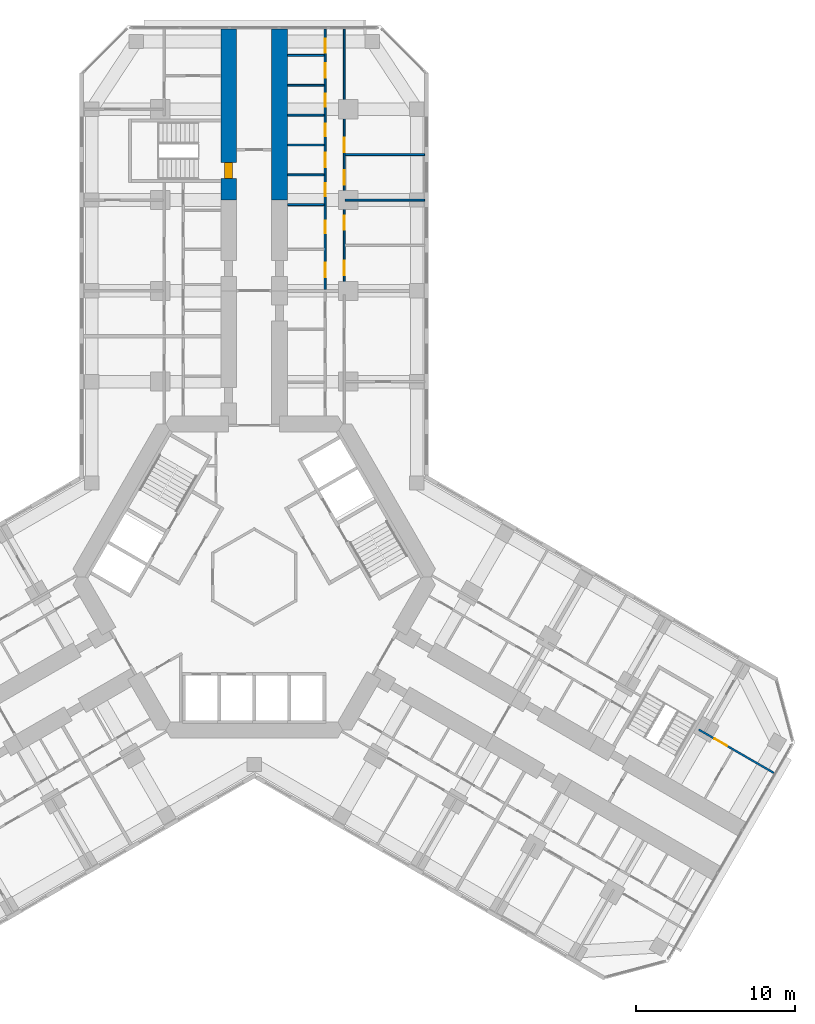
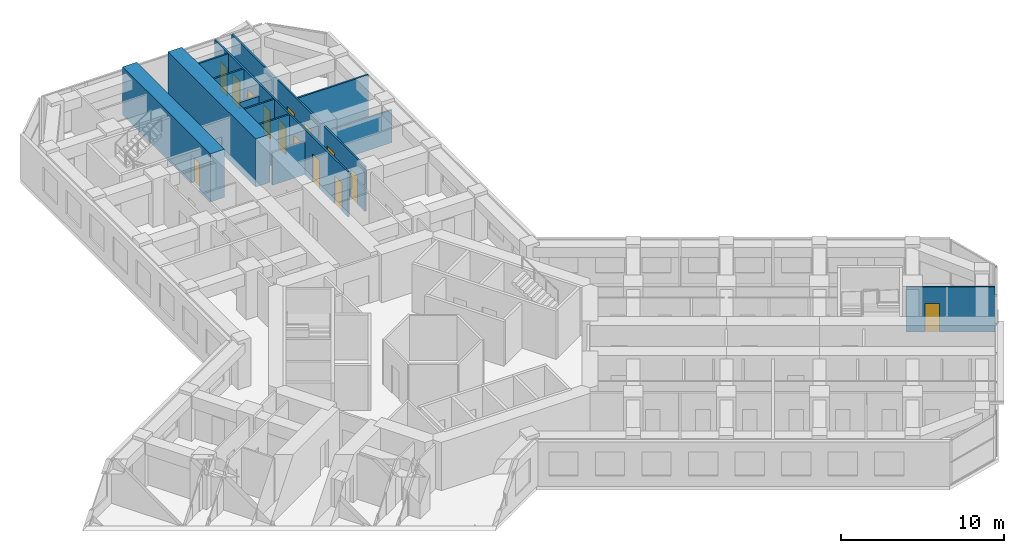
# One storey, part 19 of 21: 14 doors, 13 walls, 14 openings.
"""IFC4 building model written with IfcOpenShell, lengths in metres."""

from ifc_helpers import new_model, si_unit, direction, frame, frame_2d, origin, place, context, subcontext, project, spatial, rectangle, extrude, material, layer, layer_set, type_object, element, fill, save


model = new_model("IFC4")

# Units and contexts
model_context = context("Model", 3, precision=1e-05, world=origin(), true_north=direction((0.0, 1.0)))
body_context = subcontext(model_context, "Body", "Model", "MODEL_VIEW")
ifc_project = project(units=[si_unit("LENGTHUNIT", "METRE"), si_unit("AREAUNIT", "SQUARE_METRE"), si_unit("VOLUMEUNIT", "CUBIC_METRE"), si_unit("PLANEANGLEUNIT", "RADIAN"), si_unit("MASSUNIT", "GRAM", prefix="KILO")], contexts=[model_context])

# Site, building, storey
site_placement = place(None, origin())
site = spatial("IfcSite", under=ifc_project, at=site_placement, CompositionType="ELEMENT")
building_placement = place(site_placement, origin())
building = spatial("IfcBuilding", under=site, at=building_placement, Name="Kosmar Iwan School Tower", CompositionType="ELEMENT")
storey_placement = place(building_placement, frame((0.0, 0.0, 102.39990234375)))
storey = spatial("IfcBuildingStorey", under=building, at=storey_placement, Name="L25", CompositionType="ELEMENT", Elevation=102.39990234375)

# Wall, opening, door
ifc_material_1 = material(Name="Concrete C50/60", Category="concrete")
ifc_layer_1 = layer(ifc_material_1, 1.0)
ifc_layer_set_1 = layer_set([ifc_layer_1], Name="Corridor buttress wall 1000")
wall_type_1 = type_object("IfcWallType", Name="Corridor buttress wall 1000", PredefinedType="SHEAR", material=ifc_layer_set_1)
wall_1_placement = place(storey_placement, frame((-1.60009765625, 23.64990234375, 0.0), z_axis=(0.0, 0.0, 1.0), x_axis=(0.0, 1.0, 0.0)))
wall_1 = element("IfcWall", 1, at=wall_1_placement, inside=storey, type_object=wall_type_1, Name="Corridor wall AL bay 3", PredefinedType="SHEAR", context=body_context, shape_type="SweptSolid", body=[
    extrude(rectangle(XDim=10.7451171875, YDim=1.0, at=frame_2d((5.37255859375, 0.0))), origin(), (0.0, 0.0, 1.0), 3.60009765625),
])
opening_1_placement = place(wall_1_placement, frame((1.35009765625, 0.0, 0.0)))
opening_1 = element("IfcOpeningElement", 2, at=opening_1_placement, cuts=wall_1, Name="Opening D6", PredefinedType="OPENING", context=body_context, shape_type="SweptSolid", body=[
    extrude(rectangle(XDim=1.0, YDim=2.10009765625, at=frame_2d((0.5, 1.050048828125))), frame((0.0, 0.511962890625, 0.0), z_axis=(0.0, -1.0, 0.0), x_axis=(1.0, 0.0, 0.0)), (0.0, 0.0, 1.0), 1.02392578125),
])
ifc_material_2 = material(Name="Steel fire door", Category="steel")
door_type_1 = type_object("IfcDoorType", Name="Stair door 1000x2100", OperationType="SINGLE_SWING_LEFT", PredefinedType="DOOR", material=ifc_material_2)
door_1_placement = place(opening_1_placement, origin())
door_1 = element("IfcDoor", 3, at=door_1_placement, inside=storey, type_object=door_type_1, Name="Stair WS1 door L25", OperationType="SINGLE_SWING_LEFT", OverallHeight=2.10009765625, OverallWidth=1.0, PredefinedType="DOOR", context=body_context, shape_type="SweptSolid", body=[
    extrude(rectangle(XDim=1.0, YDim=2.10009765625, at=frame_2d((0.5, 1.050048828125))), frame((0.0, 0.25, 0.0), z_axis=(0.0, -1.0, 0.0), x_axis=(1.0, 0.0, 0.0)), (0.0, 0.0, 1.0), 0.5),
])
fill(opening_1, door_1)

# Wall
wall_2_placement = place(storey_placement, frame((1.60009765625, 23.64990234375, 0.0), z_axis=(0.0, 0.0, 1.0), x_axis=(0.0, 1.0, 0.0)))
element("IfcWall", 4, at=wall_2_placement, inside=storey, type_object=wall_type_1, Name="Corridor wall AR bay 3", PredefinedType="SHEAR", context=body_context, shape_type="SweptSolid", body=[
    extrude(rectangle(XDim=10.7451171875, YDim=1.0, at=frame_2d((5.37255859375, 0.0))), origin(), (0.0, 0.0, 1.0), 3.60009765625),
])

# Wall, openings, doors
ifc_material_3 = material(Name="Gypsum board on steel studs", Category="steel")
ifc_layer_2 = layer(ifc_material_3, 0.1201171875)
ifc_layer_set_2 = layer_set([ifc_layer_2], Name="Dwelling partition 120")
wall_type_2 = type_object("IfcWallType", Name="Dwelling partition 120", PredefinedType="PARTITIONING", material=ifc_layer_set_2)
wall_3_placement = place(storey_placement, frame((4.449951171875, 18.050048828125, 0.0), z_axis=(0.0, 0.0, 1.0), x_axis=(0.0, 1.0, 0.0)))
wall_3 = element("IfcWall", 5, at=wall_3_placement, inside=storey, type_object=wall_type_2, Name="Partition L25-AR2-W1", PredefinedType="PARTITIONING", context=body_context, shape_type="SweptSolid", body=[
    extrude(rectangle(XDim=16.344970703125, YDim=0.1201171875, at=frame_2d((8.17236328125, 0.0))), origin(), (0.0, 0.0, 1.0), 3.35009765625),
])
opening_2_placement = place(wall_3_placement, frame((0.75, 0.0, 0.0)))
opening_2 = element("IfcOpeningElement", 6, at=opening_2_placement, cuts=wall_3, Name="Opening D2", PredefinedType="OPENING", context=body_context, shape_type="SweptSolid", body=[
    extrude(rectangle(XDim=0.89990234375, YDim=2.10009765625, at=frame_2d((0.449951171875, 1.050048828125))), frame((0.0, 0.072021484375, 0.0), z_axis=(0.0, -1.0, 0.0), x_axis=(1.0, 0.0, 0.0)), (0.0, 0.0, 1.0), 0.14404296875),
])
opening_3_placement = place(wall_3_placement, frame((3.505126953125, 0.0, 0.0)))
opening_3 = element("IfcOpeningElement", 7, at=opening_3_placement, cuts=wall_3, Name="Opening D3", PredefinedType="OPENING", context=body_context, shape_type="SweptSolid", body=[
    extrude(rectangle(XDim=0.800048828125, YDim=2.10009765625, at=frame_2d((0.39990234375, 1.050048828125))), frame((0.0, 0.072021484375, 0.0), z_axis=(0.0, -1.0, 0.0), x_axis=(1.0, 0.0, 0.0)), (0.0, 0.0, 1.0), 0.14404296875),
])
opening_4_placement = place(wall_3_placement, frame((5.8466796875, 0.0, 0.0)))
opening_4 = element("IfcOpeningElement", 8, at=opening_4_placement, cuts=wall_3, Name="Opening D3", PredefinedType="OPENING", context=body_context, shape_type="SweptSolid", body=[
    extrude(rectangle(XDim=0.800048828125, YDim=2.10009765625, at=frame_2d((0.39990234375, 1.050048828125))), frame((0.0, 0.072021484375, 0.0), z_axis=(0.0, -1.0, 0.0), x_axis=(1.0, 0.0, 0.0)), (0.0, 0.0, 1.0), 0.14404296875),
])
opening_5_placement = place(wall_3_placement, frame((7.669921875, 0.0, 0.0)))
opening_5 = element("IfcOpeningElement", 9, at=opening_5_placement, cuts=wall_3, Name="Opening D2", PredefinedType="OPENING", context=body_context, shape_type="SweptSolid", body=[
    extrude(rectangle(XDim=0.89990234375, YDim=2.10009765625, at=frame_2d((0.449951171875, 1.050048828125))), frame((0.0, 0.072021484375, 0.0), z_axis=(0.0, -1.0, 0.0), x_axis=(1.0, 0.0, 0.0)), (0.0, 0.0, 1.0), 0.14404296875),
])
opening_6_placement = place(wall_3_placement, frame((9.59326171875, 0.0, 0.0)))
opening_6 = element("IfcOpeningElement", 10, at=opening_6_placement, cuts=wall_3, Name="Opening D3", PredefinedType="OPENING", context=body_context, shape_type="SweptSolid", body=[
    extrude(rectangle(XDim=0.800048828125, YDim=2.10009765625, at=frame_2d((0.39990234375, 1.050048828125))), frame((0.0, 0.072021484375, 0.0), z_axis=(0.0, -1.0, 0.0), x_axis=(1.0, 0.0, 0.0)), (0.0, 0.0, 1.0), 0.14404296875),
])
opening_7_placement = place(wall_3_placement, frame((11.466796875, 0.0, 0.0)))
opening_7 = element("IfcOpeningElement", 11, at=opening_7_placement, cuts=wall_3, Name="Opening D3", PredefinedType="OPENING", context=body_context, shape_type="SweptSolid", body=[
    extrude(rectangle(XDim=0.800048828125, YDim=2.10009765625, at=frame_2d((0.39990234375, 1.050048828125))), frame((0.0, 0.072021484375, 0.0), z_axis=(0.0, -1.0, 0.0), x_axis=(1.0, 0.0, 0.0)), (0.0, 0.0, 1.0), 0.14404296875),
])
opening_8_placement = place(wall_3_placement, frame((13.2900390625, 0.0, 0.0)))
opening_8 = element("IfcOpeningElement", 12, at=opening_8_placement, cuts=wall_3, Name="Opening D2", PredefinedType="OPENING", context=body_context, shape_type="SweptSolid", body=[
    extrude(rectangle(XDim=0.89990234375, YDim=2.10009765625, at=frame_2d((0.449951171875, 1.050048828125))), frame((0.0, 0.072021484375, 0.0), z_axis=(0.0, -1.0, 0.0), x_axis=(1.0, 0.0, 0.0)), (0.0, 0.0, 1.0), 0.14404296875),
])
opening_9_placement = place(wall_3_placement, frame((14.836669921875, 0.0, 0.0)))
opening_9 = element("IfcOpeningElement", 13, at=opening_9_placement, cuts=wall_3, Name="Opening D2", PredefinedType="OPENING", context=body_context, shape_type="SweptSolid", body=[
    extrude(rectangle(XDim=0.89990234375, YDim=2.10009765625, at=frame_2d((0.449951171875, 1.050048828125))), frame((0.0, 0.072021484375, 0.0), z_axis=(0.0, -1.0, 0.0), x_axis=(1.0, 0.0, 0.0)), (0.0, 0.0, 1.0), 0.14404296875),
])
ifc_material_4 = material(Name="Timber door in timber frame", Category="wood")
door_type_2 = type_object("IfcDoorType", Name="Internal door 900x2100", OperationType="SINGLE_SWING_LEFT", PredefinedType="DOOR", material=ifc_material_4)
door_2_placement = place(opening_2_placement, origin())
door_2 = element("IfcDoor", 14, at=door_2_placement, inside=storey, type_object=door_type_2, Name="Entrance hall door L25-AR2-S1", OperationType="SINGLE_SWING_RIGHT", OverallHeight=2.10009765625, OverallWidth=0.89990234375, PredefinedType="DOOR", context=body_context, shape_type="SweptSolid", body=[
    extrude(rectangle(XDim=0.89990234375, YDim=2.10009765625, at=frame_2d((0.449951171875, 1.050048828125))), frame((0.0, 0.02490234375, 0.0), z_axis=(0.0, -1.0, 0.0), x_axis=(1.0, 0.0, 0.0)), (0.0, 0.0, 1.0), 0.050048828125),
])
fill(opening_2, door_2)
door_3_placement = place(opening_5_placement, origin())
door_3 = element("IfcDoor", 15, at=door_3_placement, inside=storey, type_object=door_type_2, Name="Pantry door L25-AR2-S4", OperationType="SINGLE_SWING_LEFT", OverallHeight=2.10009765625, OverallWidth=0.89990234375, PredefinedType="DOOR", context=body_context, shape_type="SweptSolid", body=[
    extrude(rectangle(XDim=0.89990234375, YDim=2.10009765625, at=frame_2d((0.449951171875, 1.050048828125))), frame((0.0, 0.02490234375, 0.0), z_axis=(0.0, -1.0, 0.0), x_axis=(1.0, 0.0, 0.0)), (0.0, 0.0, 1.0), 0.050048828125),
])
fill(opening_5, door_3)
door_4_placement = place(opening_8_placement, origin())
door_4 = element("IfcDoor", 16, at=door_4_placement, inside=storey, type_object=door_type_2, Name="Utility room door L25-AR2-S7", OperationType="SINGLE_SWING_RIGHT", OverallHeight=2.10009765625, OverallWidth=0.89990234375, PredefinedType="DOOR", context=body_context, shape_type="SweptSolid", body=[
    extrude(rectangle(XDim=0.89990234375, YDim=2.10009765625, at=frame_2d((0.449951171875, 1.050048828125))), frame((0.0, 0.02490234375, 0.0), z_axis=(0.0, -1.0, 0.0), x_axis=(1.0, 0.0, 0.0)), (0.0, 0.0, 1.0), 0.050048828125),
])
fill(opening_8, door_4)
door_5_placement = place(opening_9_placement, origin())
door_5 = element("IfcDoor", 17, at=door_5_placement, inside=storey, type_object=door_type_2, Name="Dressing room door L25-AR2-S8", OperationType="SINGLE_SWING_LEFT", OverallHeight=2.10009765625, OverallWidth=0.89990234375, PredefinedType="DOOR", context=body_context, shape_type="SweptSolid", body=[
    extrude(rectangle(XDim=0.89990234375, YDim=2.10009765625, at=frame_2d((0.449951171875, 1.050048828125))), frame((0.0, 0.02490234375, 0.0), z_axis=(0.0, -1.0, 0.0), x_axis=(1.0, 0.0, 0.0)), (0.0, 0.0, 1.0), 0.050048828125),
])
fill(opening_9, door_5)
ifc_material_5 = material(Name="Timber door in timber frame", Category="wood")
door_type_3 = type_object("IfcDoorType", Name="Sanitary room door 800x2100", OperationType="SINGLE_SWING_LEFT", PredefinedType="DOOR", material=ifc_material_5)
door_6_placement = place(opening_3_placement, origin())
door_6 = element("IfcDoor", 18, at=door_6_placement, inside=storey, type_object=door_type_3, Name="Bathroom door L25-AR2-S2", OperationType="SINGLE_SWING_LEFT", OverallHeight=2.10009765625, OverallWidth=0.800048828125, PredefinedType="DOOR", context=body_context, shape_type="SweptSolid", body=[
    extrude(rectangle(XDim=0.800048828125, YDim=2.10009765625, at=frame_2d((0.39990234375, 1.050048828125))), frame((0.0, 0.02490234375, 0.0), z_axis=(0.0, -1.0, 0.0), x_axis=(1.0, 0.0, 0.0)), (0.0, 0.0, 1.0), 0.050048828125),
])
fill(opening_3, door_6)
door_7_placement = place(opening_4_placement, origin())
door_7 = element("IfcDoor", 19, at=door_7_placement, inside=storey, type_object=door_type_3, Name="Shower room door L25-AR2-S3", OperationType="SINGLE_SWING_RIGHT", OverallHeight=2.10009765625, OverallWidth=0.800048828125, PredefinedType="DOOR", context=body_context, shape_type="SweptSolid", body=[
    extrude(rectangle(XDim=0.800048828125, YDim=2.10009765625, at=frame_2d((0.39990234375, 1.050048828125))), frame((0.0, 0.02490234375, 0.0), z_axis=(0.0, -1.0, 0.0), x_axis=(1.0, 0.0, 0.0)), (0.0, 0.0, 1.0), 0.050048828125),
])
fill(opening_4, door_7)
door_8_placement = place(opening_6_placement, origin())
door_8 = element("IfcDoor", 20, at=door_8_placement, inside=storey, type_object=door_type_3, Name="WC door L25-AR2-S5", OperationType="SINGLE_SWING_RIGHT", OverallHeight=2.10009765625, OverallWidth=0.800048828125, PredefinedType="DOOR", context=body_context, shape_type="SweptSolid", body=[
    extrude(rectangle(XDim=0.800048828125, YDim=2.10009765625, at=frame_2d((0.39990234375, 1.050048828125))), frame((0.0, 0.02490234375, 0.0), z_axis=(0.0, -1.0, 0.0), x_axis=(1.0, 0.0, 0.0)), (0.0, 0.0, 1.0), 0.050048828125),
])
fill(opening_6, door_8)
door_9_placement = place(opening_7_placement, origin())
door_9 = element("IfcDoor", 21, at=door_9_placement, inside=storey, type_object=door_type_3, Name="Store door L25-AR2-S6", OperationType="SINGLE_SWING_LEFT", OverallHeight=2.10009765625, OverallWidth=0.800048828125, PredefinedType="DOOR", context=body_context, shape_type="SweptSolid", body=[
    extrude(rectangle(XDim=0.800048828125, YDim=2.10009765625, at=frame_2d((0.39990234375, 1.050048828125))), frame((0.0, 0.02490234375, 0.0), z_axis=(0.0, -1.0, 0.0), x_axis=(1.0, 0.0, 0.0)), (0.0, 0.0, 1.0), 0.050048828125),
])
fill(opening_7, door_9)

wall_4_placement = place(storey_placement, frame((5.64990234375, 18.050048828125, 0.0), z_axis=(0.0, 0.0, 1.0), x_axis=(0.0, 1.0, 0.0)))
wall_4 = element("IfcWall", 22, at=wall_4_placement, inside=storey, type_object=wall_type_2, Name="Partition L25-AR2-W2", PredefinedType="PARTITIONING", context=body_context, shape_type="SweptSolid", body=[
    extrude(rectangle(XDim=16.344970703125, YDim=0.1201171875, at=frame_2d((8.17236328125, 0.0))), origin(), (0.0, 0.0, 1.0), 3.35009765625),
])
opening_10_placement = place(wall_4_placement, frame((0.875, 0.0, 0.0)))
opening_10 = element("IfcOpeningElement", 23, at=opening_10_placement, cuts=wall_4, Name="Opening D2", PredefinedType="OPENING", context=body_context, shape_type="SweptSolid", body=[
    extrude(rectangle(XDim=0.89990234375, YDim=2.10009765625, at=frame_2d((0.449951171875, 1.050048828125))), frame((0.0, 0.072021484375, 0.0), z_axis=(0.0, -1.0, 0.0), x_axis=(1.0, 0.0, 0.0)), (0.0, 0.0, 1.0), 0.14404296875),
])
opening_11_placement = place(wall_4_placement, frame((3.72509765625, 0.0, 0.0)))
opening_11 = element("IfcOpeningElement", 24, at=opening_11_placement, cuts=wall_4, Name="Opening D2", PredefinedType="OPENING", context=body_context, shape_type="SweptSolid", body=[
    extrude(rectangle(XDim=0.89990234375, YDim=2.10009765625, at=frame_2d((0.449951171875, 1.050048828125))), frame((0.0, 0.072021484375, 0.0), z_axis=(0.0, -1.0, 0.0), x_axis=(1.0, 0.0, 0.0)), (0.0, 0.0, 1.0), 0.14404296875),
])
opening_12_placement = place(wall_4_placement, frame((6.574951171875, 0.0, 0.0)))
opening_12 = element("IfcOpeningElement", 25, at=opening_12_placement, cuts=wall_4, Name="Opening D2", PredefinedType="OPENING", context=body_context, shape_type="SweptSolid", body=[
    extrude(rectangle(XDim=0.89990234375, YDim=2.10009765625, at=frame_2d((0.449951171875, 1.050048828125))), frame((0.0, 0.072021484375, 0.0), z_axis=(0.0, -1.0, 0.0), x_axis=(1.0, 0.0, 0.0)), (0.0, 0.0, 1.0), 0.14404296875),
])
opening_13_placement = place(wall_4_placement, frame((8.610107421875, 0.0, 0.0)))
opening_13 = element("IfcOpeningElement", 26, at=opening_13_placement, cuts=wall_4, Name="Opening D2", PredefinedType="OPENING", context=body_context, shape_type="SweptSolid", body=[
    extrude(rectangle(XDim=0.89990234375, YDim=2.10009765625, at=frame_2d((0.449951171875, 1.050048828125))), frame((0.0, 0.072021484375, 0.0), z_axis=(0.0, -1.0, 0.0), x_axis=(1.0, 0.0, 0.0)), (0.0, 0.0, 1.0), 0.14404296875),
])
door_10_placement = place(opening_10_placement, origin())
door_10 = element("IfcDoor", 27, at=door_10_placement, inside=storey, type_object=door_type_2, Name="Bedroom 2 door L25-AR2-F1", OperationType="SINGLE_SWING_LEFT", OverallHeight=2.10009765625, OverallWidth=0.89990234375, PredefinedType="DOOR", context=body_context, shape_type="SweptSolid", body=[
    extrude(rectangle(XDim=0.89990234375, YDim=2.10009765625, at=frame_2d((0.449951171875, 1.050048828125))), frame((0.0, 0.02490234375, 0.0), z_axis=(0.0, -1.0, 0.0), x_axis=(1.0, 0.0, 0.0)), (0.0, 0.0, 1.0), 0.050048828125),
])
fill(opening_10, door_10)
door_11_placement = place(opening_11_placement, origin())
door_11 = element("IfcDoor", 28, at=door_11_placement, inside=storey, type_object=door_type_2, Name="Bedroom 1 door L25-AR2-F2", OperationType="SINGLE_SWING_LEFT", OverallHeight=2.10009765625, OverallWidth=0.89990234375, PredefinedType="DOOR", context=body_context, shape_type="SweptSolid", body=[
    extrude(rectangle(XDim=0.89990234375, YDim=2.10009765625, at=frame_2d((0.449951171875, 1.050048828125))), frame((0.0, 0.02490234375, 0.0), z_axis=(0.0, -1.0, 0.0), x_axis=(1.0, 0.0, 0.0)), (0.0, 0.0, 1.0), 0.050048828125),
])
fill(opening_11, door_11)
door_12_placement = place(opening_12_placement, origin())
door_12 = element("IfcDoor", 29, at=door_12_placement, inside=storey, type_object=door_type_2, Name="Winter garden door L25-AR2-F3", OperationType="SINGLE_SWING_LEFT", OverallHeight=2.10009765625, OverallWidth=0.89990234375, PredefinedType="DOOR", context=body_context, shape_type="SweptSolid", body=[
    extrude(rectangle(XDim=0.89990234375, YDim=2.10009765625, at=frame_2d((0.449951171875, 1.050048828125))), frame((0.0, 0.02490234375, 0.0), z_axis=(0.0, -1.0, 0.0), x_axis=(1.0, 0.0, 0.0)), (0.0, 0.0, 1.0), 0.050048828125),
])
fill(opening_12, door_12)
door_13_placement = place(opening_13_placement, origin())
door_13 = element("IfcDoor", 30, at=door_13_placement, inside=storey, type_object=door_type_2, Name="Living room and kitchen door L25-AR2-F4", OperationType="SINGLE_SWING_RIGHT", OverallHeight=2.10009765625, OverallWidth=0.89990234375, PredefinedType="DOOR", context=body_context, shape_type="SweptSolid", body=[
    extrude(rectangle(XDim=0.89990234375, YDim=2.10009765625, at=frame_2d((0.449951171875, 1.050048828125))), frame((0.0, 0.02490234375, 0.0), z_axis=(0.0, -1.0, 0.0), x_axis=(1.0, 0.0, 0.0)), (0.0, 0.0, 1.0), 0.050048828125),
])
fill(opening_13, door_13)

# Walls
wall_5_placement = place(storey_placement, frame((5.7099609375, 23.64990234375, 0.0), z_axis=(0.0, 0.0, 1.0), x_axis=(1.0, 0.0, 0.0)))
element("IfcWall", 31, at=wall_5_placement, inside=storey, type_object=wall_type_2, Name="Partition L25-AR2-X2", PredefinedType="PARTITIONING", context=body_context, shape_type="SweptSolid", body=[
    extrude(rectangle(XDim=4.989990234375, YDim=0.1201171875, at=frame_2d((2.4951171875, 0.0))), origin(), (0.0, 0.0, 1.0), 2.4501953125),
])
wall_6_placement = place(storey_placement, frame((5.7099609375, 26.5, 0.0), z_axis=(0.0, 0.0, 1.0), x_axis=(1.0, 0.0, 0.0)))
element("IfcWall", 32, at=wall_6_placement, inside=storey, type_object=wall_type_2, Name="Partition L25-AR2-X3", PredefinedType="PARTITIONING", context=body_context, shape_type="SweptSolid", body=[
    extrude(rectangle(XDim=4.989990234375, YDim=0.1201171875, at=frame_2d((2.4951171875, 0.0))), origin(), (0.0, 0.0, 1.0), 3.35009765625),
])
wall_7_placement = place(storey_placement, frame((2.10009765625, 23.360107421875, 0.0), z_axis=(0.0, 0.0, 1.0), x_axis=(1.0, 0.0, 0.0)))
element("IfcWall", 33, at=wall_7_placement, inside=storey, type_object=wall_type_2, Name="Partition L25-AR2-Y2", PredefinedType="PARTITIONING", context=body_context, shape_type="SweptSolid", body=[
    extrude(rectangle(XDim=2.289794921875, YDim=0.1201171875, at=frame_2d((1.14501953125, 0.0))), origin(), (0.0, 0.0, 1.0), 2.4501953125),
])
for number, where, z_axis, x_axis, name in (
    (34, (2.10009765625, 25.2333984375, 0.0), (0.0, 0.0, 1.0), (1.0, 0.0, 0.0), "Partition L25-AR2-Y3"),
    (35, (2.10009765625, 27.106689453125, 0.0), (0.0, 0.0, 1.0), (1.0, 0.0, 0.0), "Partition L25-AR2-Y4"),
):
    element("IfcWall", number, at=place(storey_placement, frame(where, z_axis=z_axis, x_axis=x_axis)), inside=storey, type_object=wall_type_2, Name=name, PredefinedType="PARTITIONING", context=body_context, shape_type="SweptSolid", body=[
        extrude(rectangle(XDim=2.289794921875, YDim=0.1201171875, at=frame_2d((1.14501953125, 0.0))), origin(), (0.0, 0.0, 1.0), 3.35009765625),
    ])
wall_8_placement = place(storey_placement, frame((2.10009765625, 28.97998046875, 0.0), z_axis=(0.0, 0.0, 1.0), x_axis=(1.0, 0.0, 0.0)))
element("IfcWall", 36, at=wall_8_placement, inside=storey, type_object=wall_type_2, Name="Partition L25-AR2-Y5", PredefinedType="PARTITIONING", context=body_context, shape_type="SweptSolid", body=[
    extrude(rectangle(XDim=2.289794921875, YDim=0.1201171875, at=frame_2d((1.14501953125, 0.0))), origin(), (0.0, 0.0, 1.0), 2.4501953125),
])
for number, where, z_axis, x_axis, name in (
    (37, (2.10009765625, 30.853271484375, 0.0), (0.0, 0.0, 1.0), (1.0, 0.0, 0.0), "Partition L25-AR2-Y6"),
    (38, (2.10009765625, 32.7265625, 0.0), (0.0, 0.0, 1.0), (1.0, 0.0, 0.0), "Partition L25-AR2-Y7"),
):
    element("IfcWall", number, at=place(storey_placement, frame(where, z_axis=z_axis, x_axis=x_axis)), inside=storey, type_object=wall_type_2, Name=name, PredefinedType="PARTITIONING", context=body_context, shape_type="SweptSolid", body=[
        extrude(rectangle(XDim=2.289794921875, YDim=0.1201171875, at=frame_2d((1.14501953125, 0.0))), origin(), (0.0, 0.0, 1.0), 3.35009765625),
    ])

# Wall, opening, door
wall_9_placement = place(storey_placement, frame((27.896484375, -9.58203125, 0.0), z_axis=(0.0, 0.0, 1.0), x_axis=(0.866035508231, -0.499982498177, 0.0)))
wall_9 = element("IfcWall", 39, at=wall_9_placement, inside=storey, type_object=wall_type_2, Name="Partition L25-CL2-TW", PredefinedType="PARTITIONING", context=body_context, shape_type="SweptSolid", body=[
    extrude(rectangle(XDim=5.445068359375, YDim=0.1201171875, at=frame_2d((2.72265625, 0.0))), origin(), (0.0, 0.0, 1.0), 3.35009765625),
])
opening_14_placement = place(wall_9_placement, frame((1.14990234375, 0.0, 0.0)))
opening_14 = element("IfcOpeningElement", 40, at=opening_14_placement, cuts=wall_9, Name="Opening D2", PredefinedType="OPENING", context=body_context, shape_type="SweptSolid", body=[
    extrude(rectangle(XDim=0.89990234375, YDim=2.10009765625, at=frame_2d((0.449951171875, 1.050048828125))), frame((0.0, 0.072021484375, 0.0), z_axis=(0.0, -1.0, 0.0), x_axis=(1.0, 0.0, 0.0)), (0.0, 0.0, 1.0), 0.14404296875),
])
door_14_placement = place(opening_14_placement, origin())
door_14 = element("IfcDoor", 41, at=door_14_placement, inside=storey, type_object=door_type_2, Name="Dressing room door L25-CL2-T3", OperationType="SINGLE_SWING_LEFT", OverallHeight=2.10009765625, OverallWidth=0.89990234375, PredefinedType="DOOR", context=body_context, shape_type="SweptSolid", body=[
    extrude(rectangle(XDim=0.89990234375, YDim=2.10009765625, at=frame_2d((0.449951171875, 1.050048828125))), frame((0.0, 0.02490234375, 0.0), z_axis=(0.0, -1.0, 0.0), x_axis=(1.0, 0.0, 0.0)), (0.0, 0.0, 1.0), 0.050048828125),
])
fill(opening_14, door_14)

save(model, "model.ifc")
